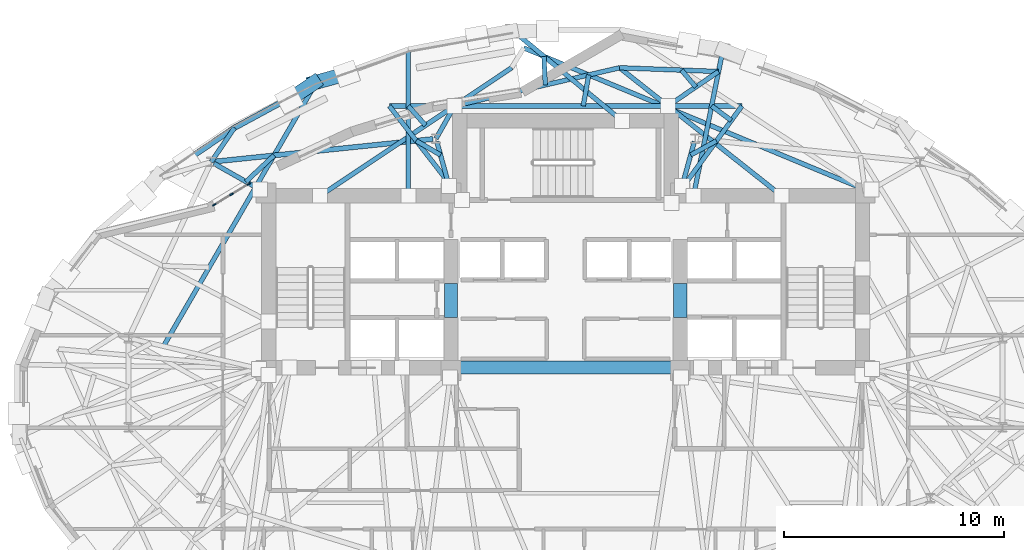
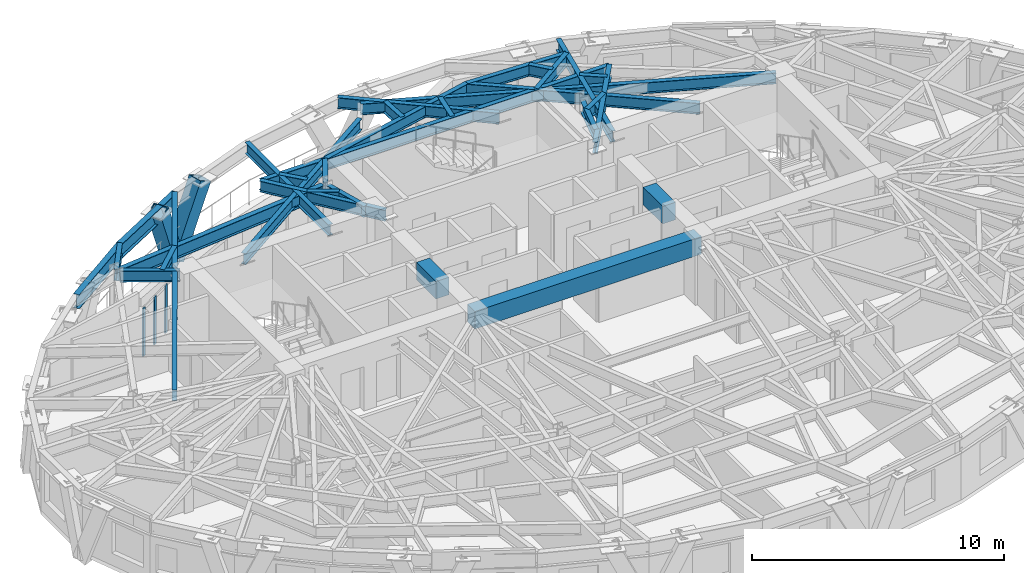
# One storey, part 3 of 14: 32 beams, 5 members, 1 element without a shape of its own.
"""IFC4 building model written with IfcOpenShell, lengths in metres."""

from ifc_helpers import new_model, si_unit, direction, frame, origin, origin_2d, place, context, subcontext, project, spatial, rectangle, hollow_rectangle, i_section, extrude, material, layer, layer_set, material_profile, profile_set, type_object, element, aggregate, save


model = new_model("IFC4")

# Units and contexts
model_context = context("Model", 3, precision=1e-05, world=origin(), true_north=direction((0.0, 1.0)))
body_context = subcontext(model_context, "Body", "Model", "MODEL_VIEW")
ifc_project = project(units=[si_unit("LENGTHUNIT", "METRE"), si_unit("AREAUNIT", "SQUARE_METRE"), si_unit("VOLUMEUNIT", "CUBIC_METRE"), si_unit("PLANEANGLEUNIT", "RADIAN"), si_unit("MASSUNIT", "GRAM", prefix="KILO")], contexts=[model_context])

# Site, building, storey
site_placement = place(None, origin())
site = spatial("IfcSite", under=ifc_project, at=site_placement, CompositionType="ELEMENT")
building_placement = place(site_placement, origin())
building = spatial("IfcBuilding", under=site, at=building_placement, Name="Keldmark Tower", CompositionType="ELEMENT")
storey_placement = place(building_placement, frame((0.0, 0.0, 175.800048828125)))
storey = spatial("IfcBuildingStorey", under=building, at=storey_placement, Name="L48", CompositionType="ELEMENT", Elevation=175.800048828125)

# Beams
ifc_material_1 = material(Name="Concrete C50/60", Category="concrete")
ifc_material_profile_1 = material_profile(ifc_material_1, rectangle(XDim=0.60009765625, YDim=0.85009765625, at=origin_2d()), Name="RCB600X850")
ifc_profile_set_1 = profile_set([ifc_material_profile_1], Name="Concrete C50/60")
beam_type_1 = type_object("IfcBeamType", Name="Core Coupling Beam RCB600X850", PredefinedType="USERDEFINED", material=ifc_profile_set_1)
for number, where, z_axis, x_axis, name in (
    (1, (-5.199951171875, 3.800048828125, 2.594970703125), (0.0, 1.0, 0.0), (-1.0, 0.0, 0.0), "L48 West Core Coupling Beam"),
    (2, (5.199951171875, 3.800048828125, 2.594970703125), (0.0, 1.0, 0.0), (-1.0, 0.0, 0.0), "L48 East Core Coupling Beam"),
):
    element("IfcBeam", number, at=place(storey_placement, frame(where, z_axis=z_axis, x_axis=x_axis)), inside=storey, type_object=beam_type_1, Name=name, ObjectType="COUPLING BEAM", PredefinedType="USERDEFINED", context=body_context, shape_type="SweptSolid", body=[
        extrude(rectangle(XDim=0.60009765625, YDim=0.85009765625, at=origin_2d()), origin(), (0.0, 0.0, 1.0), 1.550048828125),
    ])
beam_1_placement = place(storey_placement, frame((-5.199951171875, 1.52490234375, 2.594970703125), z_axis=(1.0, 0.0, 0.0), x_axis=(0.0, 1.0, 0.0)))
element("IfcBeam", 3, at=beam_1_placement, inside=storey, type_object=beam_type_1, Name="L48 Central South Core Coupling Beam", ObjectType="COUPLING BEAM", PredefinedType="USERDEFINED", context=body_context, shape_type="SweptSolid", body=[
    extrude(rectangle(XDim=0.60009765625, YDim=0.85009765625, at=origin_2d()), origin(), (0.0, 0.0, 1.0), 10.39990234375),
])

# Curtain wall, members
ifc_material_2 = material(Name="Unitized Thermally Broken Aluminum and Triple Low-E Glazing", Category="aluminium")
ifc_layer = layer(ifc_material_2, 0.219970703125)
ifc_layer_set = layer_set([ifc_layer], Name="Unitized Thermally Broken Aluminum and Triple Low-E Glazing")
curtain_wall_type = type_object("IfcCurtainWallType", Name="Spiralling Sky-Garden Feature Curtain Wall System", PredefinedType="NOTDEFINED", material=ifc_layer_set)
curtain_wall_placement = place(storey_placement, origin())
curtain_wall = element("IfcCurtainWall", 4, at=curtain_wall_placement, inside=storey, type_object=curtain_wall_type, Name="L48 Spiralling Sky-Garden Feature Curtain Wall System CW-L48-12", PredefinedType="NOTDEFINED")
ifc_material_3 = material(Name="Extruded Aluminum Alloy 6063-T6", Category="aluminium")
ifc_material_profile_2 = material_profile(ifc_material_3, rectangle(XDim=0.06005859375, YDim=0.179931640625, at=origin_2d()), Name="CWM60X180")
ifc_profile_set_2 = profile_set([ifc_material_profile_2], Name="Extruded Aluminum Alloy 6063-T6")
member_type_1 = type_object("IfcMemberType", Name="Curtain Wall Structural Mullion 60x180", PredefinedType="MULLION", material=ifc_profile_set_2)
member_1_placement = place(storey_placement, frame((-15.941162109375, 8.913330078125, 0.0), z_axis=(0.0, 0.0, 1.0), x_axis=(-0.519223553749, 0.854638462294, 0.0)))
member_1 = element("IfcMember", 5, at=member_1_placement, type_object=member_type_1, Name="CW mullion 1", PredefinedType="MULLION", context=body_context, shape_type="SweptSolid", body=[
    extrude(rectangle(XDim=0.06005859375, YDim=0.179931640625, at=origin_2d()), origin(), (0.0, 0.0, 1.0), 2.31494140625),
])
member_2_placement = place(storey_placement, frame((-15.16259765625, 9.38623046875, 0.0), z_axis=(0.0, 0.0, 1.0), x_axis=(-0.519223553749, 0.854638462294, 0.0)))
member_2 = element("IfcMember", 6, at=member_2_placement, type_object=member_type_1, Name="CW mullion 2", PredefinedType="MULLION", context=body_context, shape_type="SweptSolid", body=[
    extrude(rectangle(XDim=0.06005859375, YDim=0.179931640625, at=origin_2d()), origin(), (0.0, 0.0, 1.0), 2.31494140625),
])
member_3_placement = place(storey_placement, frame((-14.384033203125, 9.859375, 0.0), z_axis=(0.0, 0.0, 1.0), x_axis=(-0.519223553749, 0.854638462294, 0.0)))
member_3 = element("IfcMember", 7, at=member_3_placement, type_object=member_type_1, Name="CW mullion 3", PredefinedType="MULLION", context=body_context, shape_type="SweptSolid", body=[
    extrude(rectangle(XDim=0.06005859375, YDim=0.179931640625, at=origin_2d()), origin(), (0.0, 0.0, 1.0), 2.31494140625),
])
aggregate(curtain_wall, [member_1, member_2, member_3])

# Members
ifc_material_4 = material(Name="Steel ASTM A572 Grade 50", Category="steel")
ifc_material_profile_3 = material_profile(ifc_material_4, hollow_rectangle(XDim=0.64990234375, YDim=0.64990234375, WallThickness=0.0400390625, at=origin_2d()), Name="BOX650X650X40")
ifc_profile_set_3 = profile_set([ifc_material_profile_3], Name="Steel ASTM A572 Grade 50")
member_type_2 = type_object("IfcMemberType", Name="Diagrid Zone 3 Brace BOX650X650X40", PredefinedType="BRACE", material=ifc_profile_set_3)
member_4_placement = place(storey_placement, frame((-11.42138671875, 14.449951171875, -0.260009765625), z_axis=(0.42345325243, 0.11695111135, 0.898337230978), x_axis=(-0.266217562784, 0.963912967682, 0.0)))
element("IfcMember", 8, at=member_4_placement, inside=storey, type_object=member_type_2, Name="L48 Perimeter Diagrid Brace 05B", PredefinedType="BRACE", context=body_context, shape_type="SweptSolid", body=[
    extrude(hollow_rectangle(XDim=0.64990234375, YDim=0.64990234375, WallThickness=0.0400390625, at=origin_2d()), origin(), (0.0, 0.0, 1.0), 3.517578125),
])
member_5_placement = place(storey_placement, frame((-11.410400390625, 14.454345703125, -0.260009765625), z_axis=(-0.33049592373, -0.223518679393, 0.916957929439), x_axis=(0.560219791225, -0.828344001922, 0.0)))
element("IfcMember", 9, at=member_5_placement, inside=storey, type_object=member_type_2, Name="L48 Perimeter Diagrid Brace 06A", PredefinedType="BRACE", context=body_context, shape_type="SweptSolid", body=[
    extrude(hollow_rectangle(XDim=0.64990234375, YDim=0.64990234375, WallThickness=0.0400390625, at=origin_2d()), origin(), (0.0, 0.0, 1.0), 3.446044921875),
])

# Beams
ifc_material_5 = material(Name="Steel ASTM A992 Grade 50", Category="steel")
ifc_material_profile_4 = material_profile(ifc_material_5, i_section(OverallWidth=0.22900390625, OverallDepth=0.612060546875, WebThickness=0.011962890625, FlangeThickness=0.01953125, at=origin_2d()), Name="W24X84")
ifc_profile_set_4 = profile_set([ifc_material_profile_4], Name="Steel ASTM A992 Grade 50")
beam_type_2 = type_object("IfcBeamType", Name="Primary Floor Girder W24X84", PredefinedType="BEAM", material=ifc_profile_set_4)
beam_2_placement = place(storey_placement, frame((-6.01953125, 11.90087890625, 2.7138671875), z_axis=(-0.994702930931, -0.102791435423, 0.0), x_axis=(0.102791435423, -0.994702930931, 0.0)))
element("IfcBeam", 10, at=beam_2_placement, inside=storey, type_object=beam_type_2, Name="L48 Floor Ring Girder FG-R04", PredefinedType="BEAM", context=body_context, shape_type="SweptSolid", body=[
    extrude(i_section(OverallWidth=0.22900390625, OverallDepth=0.612060546875, WebThickness=0.011962890625, FlangeThickness=0.01953125, at=origin_2d()), origin(), (0.0, 0.0, 1.0), 9.975341796875),
])
ifc_material_6 = material(Name="Steel ASTM A992 Grade 50", Category="steel")
ifc_material_profile_5 = material_profile(ifc_material_6, i_section(OverallWidth=0.2099609375, OverallDepth=0.537109375, WebThickness=0.010986328125, FlangeThickness=0.017333984375, at=origin_2d()), Name="W21X68")
ifc_profile_set_5 = profile_set([ifc_material_profile_5], Name="Steel ASTM A992 Grade 50")
beam_type_3 = type_object("IfcBeamType", Name="Radial Tie Girder W21X68", PredefinedType="BEAM", material=ifc_profile_set_5)
for number, where, z_axis, x_axis, name in (
    (11, (5.843017578125, 11.7802734375, 2.75146484375), (-0.265992411, -0.963975122755, 0.0), (0.963975122755, -0.265992411, 0.0), "L48 Floor Radial Girder FG-C03"),
    (12, (-5.843017578125, 11.7802734375, 2.75146484375), (0.265992411, -0.963975122755, 0.0), (0.963975122755, 0.265992411, 0.0), "L48 Floor Radial Girder FG-C04"),
):
    element("IfcBeam", number, at=place(storey_placement, frame(where, z_axis=z_axis, x_axis=x_axis)), inside=storey, type_object=beam_type_3, Name=name, PredefinedType="BEAM", context=body_context, shape_type="SweptSolid", body=[
        extrude(i_section(OverallWidth=0.2099609375, OverallDepth=0.537109375, WebThickness=0.010986328125, FlangeThickness=0.017333984375, at=origin_2d()), origin(), (0.0, 0.0, 1.0), 2.09716796875),
    ])
beam_3_placement = place(storey_placement, frame((-15.959716796875, 10.791748046875, 2.75146484375), z_axis=(0.86929527307, -0.494293160197, 0.0), x_axis=(0.494293160197, 0.86929527307, 0.0)))
element("IfcBeam", 13, at=beam_3_placement, inside=storey, type_object=beam_type_3, Name="L48 Floor Radial Girder FG-C05", PredefinedType="BEAM", context=body_context, shape_type="SweptSolid", body=[
    extrude(i_section(OverallWidth=0.2099609375, OverallDepth=0.537109375, WebThickness=0.010986328125, FlangeThickness=0.017333984375, at=origin_2d()), origin(), (0.0, 0.0, 1.0), 2.39453125),
])
beam_4_placement = place(storey_placement, frame((5.675537109375, 11.173828125, 2.75146484375), z_axis=(0.877217225602, 0.480093677429, 0.0), x_axis=(-0.480093677429, 0.877217225602, 0.0)))
element("IfcBeam", 14, at=beam_4_placement, inside=storey, type_object=beam_type_3, Name="L48 Framing Pin Header PH-001", PredefinedType="BEAM", context=body_context, shape_type="SweptSolid", body=[
    extrude(i_section(OverallWidth=0.2099609375, OverallDepth=0.537109375, WebThickness=0.010986328125, FlangeThickness=0.017333984375, at=origin_2d()), origin(), (0.0, 0.0, 1.0), 1.3359375),
])
beam_5_placement = place(storey_placement, frame((4.800048828125, 9.0, 2.75146484375), z_axis=(0.588182369887, 0.808728322587, 0.0), x_axis=(-0.808728322587, 0.588182369887, 0.0)))
element("IfcBeam", 15, at=beam_5_placement, inside=storey, type_object=beam_type_3, Name="L48 Sub-Ring Step Girder STP1-M02", PredefinedType="BEAM", context=body_context, shape_type="SweptSolid", body=[
    extrude(i_section(OverallWidth=0.2099609375, OverallDepth=0.537109375, WebThickness=0.010986328125, FlangeThickness=0.017333984375, at=origin_2d()), origin(), (0.0, 0.0, 1.0), 5.44091796875),
])
beam_6_placement = place(storey_placement, frame((-5.675537109375, 11.173828125, 2.75146484375), z_axis=(-0.861890055775, 0.507095190034, 0.0), x_axis=(-0.507095190034, -0.861890055775, 0.0)))
element("IfcBeam", 16, at=beam_6_placement, inside=storey, type_object=beam_type_3, Name="L48 Framing Pin Header PH-002", PredefinedType="BEAM", context=body_context, shape_type="SweptSolid", body=[
    extrude(i_section(OverallWidth=0.2099609375, OverallDepth=0.537109375, WebThickness=0.010986328125, FlangeThickness=0.017333984375, at=origin_2d()), origin(), (0.0, 0.0, 1.0), 1.279296875),
])
beam_7_placement = place(storey_placement, frame((-4.699951171875, 9.139892578125, 2.75146484375), z_axis=(-0.612408907582, 0.790541162694, 0.0), x_axis=(-0.790541162694, -0.612408907582, 0.0)))
element("IfcBeam", 17, at=beam_7_placement, inside=storey, type_object=beam_type_3, Name="L48 Sub-Ring Step Girder STP1-M05", PredefinedType="BEAM", context=body_context, shape_type="SweptSolid", body=[
    extrude(i_section(OverallWidth=0.2099609375, OverallDepth=0.537109375, WebThickness=0.010986328125, FlangeThickness=0.017333984375, at=origin_2d()), origin(), (0.0, 0.0, 1.0), 5.388916015625),
])
beam_8_placement = place(storey_placement, frame((8.000244140625, 13.400146484375, 2.75146484375), z_axis=(-1.0, 0.0, 0.0), x_axis=(0.0, -1.0, 0.0)))
element("IfcBeam", 18, at=beam_8_placement, inside=storey, type_object=beam_type_3, Name="L48 Perimeter Collector Ring Beam CRG1-M02", PredefinedType="BEAM", context=body_context, shape_type="SweptSolid", body=[
    extrude(i_section(OverallWidth=0.2099609375, OverallDepth=0.537109375, WebThickness=0.010986328125, FlangeThickness=0.017333984375, at=origin_2d()), origin(), (0.0, 0.0, 1.0), 16.00048828125),
])
beam_9_placement = place(storey_placement, frame((7.520263671875, 12.740234375, 2.75146484375), z_axis=(-0.804564081832, 0.593865841942, 0.0), x_axis=(-0.593865841942, -0.804564081832, 0.0)))
element("IfcBeam", 19, at=beam_9_placement, inside=storey, type_object=beam_type_3, Name="L48 Framing Pin Header PH-018", PredefinedType="BEAM", context=body_context, shape_type="SweptSolid", body=[
    extrude(i_section(OverallWidth=0.2099609375, OverallDepth=0.537109375, WebThickness=0.010986328125, FlangeThickness=0.017333984375, at=origin_2d()), origin(), (0.0, 0.0, 1.0), 1.111328125),
])
beam_10_placement = place(storey_placement, frame((5.80712890625, 9.324951171875, 2.75146484375), z_axis=(0.197059977668, 0.980391434684, 0.0), x_axis=(-0.980391434684, 0.197059977668, 0.0)))
element("IfcBeam", 20, at=beam_10_placement, inside=storey, type_object=beam_type_3, Name="L48 Perimeter Radial Tie Girder RT-07", PredefinedType="BEAM", context=body_context, shape_type="SweptSolid", body=[
    extrude(i_section(OverallWidth=0.2099609375, OverallDepth=0.537109375, WebThickness=0.010986328125, FlangeThickness=0.017333984375, at=origin_2d()), origin(), (0.0, 0.0, 1.0), 6.764404296875),
])
beam_11_placement = place(storey_placement, frame((6.940185546875, 14.9619140625, 2.75146484375), z_axis=(-0.826888892869, -0.562365325078, 0.0), x_axis=(0.562365325078, -0.826888892869, 0.0)))
element("IfcBeam", 21, at=beam_11_placement, inside=storey, type_object=beam_type_3, Name="L48 Framing Pin Header PH-019", PredefinedType="BEAM", context=body_context, shape_type="SweptSolid", body=[
    extrude(i_section(OverallWidth=0.2099609375, OverallDepth=0.537109375, WebThickness=0.010986328125, FlangeThickness=0.017333984375, at=origin_2d()), origin(), (0.0, 0.0, 1.0), 2.777099609375),
])
beam_12_placement = place(storey_placement, frame((9.8037109375, 9.324951171875, 2.75146484375), z_axis=(-0.784755367455, 0.619805625378, 0.0), x_axis=(-0.619805625378, -0.784755367455, 0.0)))
element("IfcBeam", 22, at=beam_12_placement, inside=storey, type_object=beam_type_3, Name="L48 Intermediate Radial Step Girder RT-08M", PredefinedType="BEAM", context=body_context, shape_type="SweptSolid", body=[
    extrude(i_section(OverallWidth=0.2099609375, OverallDepth=0.537109375, WebThickness=0.010986328125, FlangeThickness=0.017333984375, at=origin_2d()), origin(), (0.0, 0.0, 1.0), 9.370361328125),
])
beam_13_placement = place(storey_placement, frame((6.940185546875, 14.9619140625, 2.75146484375), z_axis=(-0.99927642454, 0.038034554792, 0.0), x_axis=(-0.038034554792, -0.99927642454, 0.0)))
element("IfcBeam", 23, at=beam_13_placement, inside=storey, type_object=beam_type_3, Name="L48 Local Collector Chord RT-08C", PredefinedType="BEAM", context=body_context, shape_type="SweptSolid", body=[
    extrude(i_section(OverallWidth=0.2099609375, OverallDepth=0.537109375, WebThickness=0.010986328125, FlangeThickness=0.017333984375, at=origin_2d()), origin(), (0.0, 0.0, 1.0), 4.4931640625),
])
beam_14_placement = place(storey_placement, frame((5.906982421875, 14.25927734375, 2.75146484375), z_axis=(-0.644533065898, 0.764576436313, 0.0), x_axis=(-0.764576436313, -0.644533065898, 0.0)))
element("IfcBeam", 24, at=beam_14_placement, inside=storey, type_object=beam_type_3, Name="L48 Framing Pin Header PH-020", PredefinedType="BEAM", context=body_context, shape_type="SweptSolid", body=[
    extrude(i_section(OverallWidth=0.2099609375, OverallDepth=0.537109375, WebThickness=0.010986328125, FlangeThickness=0.017333984375, at=origin_2d()), origin(), (0.0, 0.0, 1.0), 1.002685546875),
])
beam_15_placement = place(storey_placement, frame((-5.880126953125, 11.915283203125, 2.75146484375), z_axis=(0.491877995789, 0.870664135737, 0.0), x_axis=(-0.870664135737, 0.491877995789, 0.0)))
element("IfcBeam", 25, at=beam_15_placement, inside=storey, type_object=beam_type_3, Name="L48 Framing Pin Header PH-021", PredefinedType="BEAM", context=body_context, shape_type="SweptSolid", body=[
    extrude(i_section(OverallWidth=0.2099609375, OverallDepth=0.537109375, WebThickness=0.010986328125, FlangeThickness=0.017333984375, at=origin_2d()), origin(), (0.0, 0.0, 1.0), 1.705322265625),
])
beam_16_placement = place(storey_placement, frame((-11.1357421875, 9.324951171875, 2.75146484375), z_axis=(0.831276604049, 0.555858981722, 0.0), x_axis=(-0.555858981722, 0.831276604049, 0.0)))
element("IfcBeam", 26, at=beam_16_placement, inside=storey, type_object=beam_type_3, Name="L48 Intermediate Radial Step Girder RT-09M", PredefinedType="BEAM", context=body_context, shape_type="SweptSolid", body=[
    extrude(i_section(OverallWidth=0.2099609375, OverallDepth=0.537109375, WebThickness=0.010986328125, FlangeThickness=0.017333984375, at=origin_2d()), origin(), (0.0, 0.0, 1.0), 10.448486328125),
])
beam_17_placement = place(storey_placement, frame((-6.358642578125, 12.519287109375, 2.75146484375), z_axis=(-0.663539730875, 0.748141046562, 0.0), x_axis=(-0.748141046562, -0.663539730875, 0.0)))
element("IfcBeam", 27, at=beam_17_placement, inside=storey, type_object=beam_type_3, Name="L48 Framing Pin Header PH-022", PredefinedType="BEAM", context=body_context, shape_type="SweptSolid", body=[
    extrude(i_section(OverallWidth=0.2099609375, OverallDepth=0.537109375, WebThickness=0.010986328125, FlangeThickness=0.017333984375, at=origin_2d()), origin(), (0.0, 0.0, 1.0), 1.177490234375),
])
beam_18_placement = place(storey_placement, frame((-7.139404296875, 9.324951171875, 2.75146484375), z_axis=(-0.000110440288, 0.999999993901, 0.0), x_axis=(-0.999999993901, -0.000110440288, 0.0)))
element("IfcBeam", 28, at=beam_18_placement, inside=storey, type_object=beam_type_3, Name="L48 Perimeter Radial Tie Girder RT-10", PredefinedType="BEAM", context=body_context, shape_type="SweptSolid", body=[
    extrude(i_section(OverallWidth=0.2099609375, OverallDepth=0.537109375, WebThickness=0.010986328125, FlangeThickness=0.017333984375, at=origin_2d()), origin(), (0.0, 0.0, 1.0), 6.6318359375),
])
beam_19_placement = place(storey_placement, frame((-14.502685546875, 9.96337890625, 2.75146484375), z_axis=(0.729174356196, 0.684327961043, 0.0), x_axis=(-0.684327961043, 0.729174356196, 0.0)))
element("IfcBeam", 29, at=beam_19_placement, inside=storey, type_object=beam_type_3, Name="L48 Framing Pin Header PH-023", PredefinedType="BEAM", context=body_context, shape_type="SweptSolid", body=[
    extrude(i_section(OverallWidth=0.2099609375, OverallDepth=0.537109375, WebThickness=0.010986328125, FlangeThickness=0.017333984375, at=origin_2d()), origin(), (0.0, 0.0, 1.0), 1.741943359375),
])
beam_20_placement = place(storey_placement, frame((-18.246826171875, 2.49609375, 2.75146484375), z_axis=(0.501119525545, 0.865378079869, 0.0), x_axis=(-0.865378079869, 0.501119525545, 0.0)))
element("IfcBeam", 30, at=beam_20_placement, inside=storey, type_object=beam_type_3, Name="L48 Perimeter Radial Tie Girder RT-11", PredefinedType="BEAM", context=body_context, shape_type="SweptSolid", body=[
    extrude(i_section(OverallWidth=0.2099609375, OverallDepth=0.537109375, WebThickness=0.010986328125, FlangeThickness=0.017333984375, at=origin_2d()), origin(), (0.0, 0.0, 1.0), 13.75537109375),
])
beam_21_placement = place(storey_placement, frame((-16.08154296875, 10.861083984375, 2.75146484375), z_axis=(0.563260094583, 0.826279653537, 0.0), x_axis=(-0.826279653537, 0.563260094583, 0.0)))
element("IfcBeam", 31, at=beam_21_placement, inside=storey, type_object=beam_type_3, Name="L48 Perimeter Column Bracket RT-12", PredefinedType="BEAM", context=body_context, shape_type="SweptSolid", body=[
    extrude(i_section(OverallWidth=0.2099609375, OverallDepth=0.537109375, WebThickness=0.010986328125, FlangeThickness=0.017333984375, at=origin_2d()), origin(), (0.0, 0.0, 1.0), 1.8759765625),
])
beam_22_placement = place(storey_placement, frame((2.4501953125, 15.1328125, 2.75146484375), z_axis=(-0.974280841824, -0.225337172378, 0.0), x_axis=(0.225337172378, -0.974280841824, 0.0)))
element("IfcBeam", 32, at=beam_22_placement, inside=storey, type_object=beam_type_3, Name="L48 Straddling Support Chord RT-09RB", PredefinedType="BEAM", context=body_context, shape_type="SweptSolid", body=[
    extrude(i_section(OverallWidth=0.2099609375, OverallDepth=0.537109375, WebThickness=0.010986328125, FlangeThickness=0.017333984375, at=origin_2d()), origin(), (0.0, 0.0, 1.0), 7.689208984375),
])
beam_23_placement = place(storey_placement, frame((0.800048828125, 13.400146484375, 2.75146484375), z_axis=(0.174408357919, 0.984673410166, 0.0), x_axis=(-0.984673410166, 0.174408357919, 0.0)))
element("IfcBeam", 33, at=beam_23_placement, inside=storey, type_object=beam_type_3, Name="L48 Framing Pin Header PH-043", PredefinedType="BEAM", context=body_context, shape_type="SweptSolid", body=[
    extrude(i_section(OverallWidth=0.2099609375, OverallDepth=0.537109375, WebThickness=0.010986328125, FlangeThickness=0.017333984375, at=origin_2d()), origin(), (0.0, 0.0, 1.0), 1.4306640625),
])
beam_24_placement = place(storey_placement, frame((13.47509765625, 9.64990234375, 2.75146484375), z_axis=(-0.923564718457, 0.383442578258, 0.0), x_axis=(-0.383442578258, -0.923564718457, 0.0)))
element("IfcBeam", 34, at=beam_24_placement, inside=storey, type_object=beam_type_3, Name="L48 Crown Step Radial Girder RT-09RN2", PredefinedType="BEAM", context=body_context, shape_type="SweptSolid", body=[
    extrude(i_section(OverallWidth=0.2099609375, OverallDepth=0.537109375, WebThickness=0.010986328125, FlangeThickness=0.017333984375, at=origin_2d()), origin(), (0.0, 0.0, 1.0), 16.64794921875),
])
beam_25_placement = place(storey_placement, frame((-0.9208984375, 14.35302734375, 2.75146484375), z_axis=(-0.04674456155, 0.998906875522, 0.0), x_axis=(-0.998906875522, -0.04674456155, 0.0)))
element("IfcBeam", 35, at=beam_25_placement, inside=storey, type_object=beam_type_3, Name="L48 Framing Pin Header PH-044", PredefinedType="BEAM", context=body_context, shape_type="SweptSolid", body=[
    extrude(i_section(OverallWidth=0.2099609375, OverallDepth=0.537109375, WebThickness=0.010986328125, FlangeThickness=0.017333984375, at=origin_2d()), origin(), (0.0, 0.0, 1.0), 1.300537109375),
])
beam_26_placement = place(storey_placement, frame((2.5625, 12.72509765625, 2.75146484375), z_axis=(-0.771039510259, 0.636787306422, 0.0), x_axis=(-0.636787306422, -0.771039510259, 0.0)))
element("IfcBeam", 36, at=beam_26_placement, inside=storey, type_object=beam_type_3, Name="L48 Perimeter Radial Tie Girder RT-09R", PredefinedType="BEAM", context=body_context, shape_type="SweptSolid", body=[
    extrude(i_section(OverallWidth=0.2099609375, OverallDepth=0.537109375, WebThickness=0.010986328125, FlangeThickness=0.017333984375, at=origin_2d()), origin(), (0.0, 0.0, 1.0), 6.501220703125),
])
ifc_material_7 = material(Name="Steel ASTM A992 Grade 50", Category="steel")
ifc_material_profile_6 = material_profile(ifc_material_7, i_section(OverallWidth=0.256103515625, OverallDepth=0.693115234375, WebThickness=0.014404296875, FlangeThickness=0.023681640625, at=origin_2d()), Name="W27X114")
ifc_profile_set_6 = profile_set([ifc_material_profile_6], Name="Steel ASTM A992 Grade 50")
beam_type_4 = type_object("IfcBeamType", Name="Spandrel Ring Beam W27X114", PredefinedType="SPANDREL", material=ifc_profile_set_6)
beam_27_placement = place(storey_placement, frame((-11.353759765625, 14.399658203125, 2.67333984375), z_axis=(-0.879292986909, -0.476281264772, 0.0), x_axis=(0.476281264772, -0.879292986909, 0.0)))
element("IfcBeam", 37, at=beam_27_placement, inside=storey, type_object=beam_type_4, Name="L48 Perimeter Spandrel Ring Beam SRB-11", PredefinedType="SPANDREL", context=body_context, shape_type="SweptSolid", body=[
    extrude(i_section(OverallWidth=0.256103515625, OverallDepth=0.693115234375, WebThickness=0.014404296875, FlangeThickness=0.023681640625, at=origin_2d()), origin(), (0.0, 0.0, 1.0), 4.175048828125),
])
beam_28_placement = place(storey_placement, frame((-15.02490234375, 12.4111328125, 2.67333984375), z_axis=(-0.827745323175, -0.561103983199, 0.0), x_axis=(0.561103983199, -0.827745323175, 0.0)))
element("IfcBeam", 38, at=beam_28_placement, inside=storey, type_object=beam_type_4, Name="L48 Perimeter Spandrel Ring Beam SRB-12", PredefinedType="SPANDREL", context=body_context, shape_type="SweptSolid", body=[
    extrude(i_section(OverallWidth=0.256103515625, OverallDepth=0.693115234375, WebThickness=0.014404296875, FlangeThickness=0.023681640625, at=origin_2d()), origin(), (0.0, 0.0, 1.0), 3.966552734375),
])

save(model, "model.ifc")
